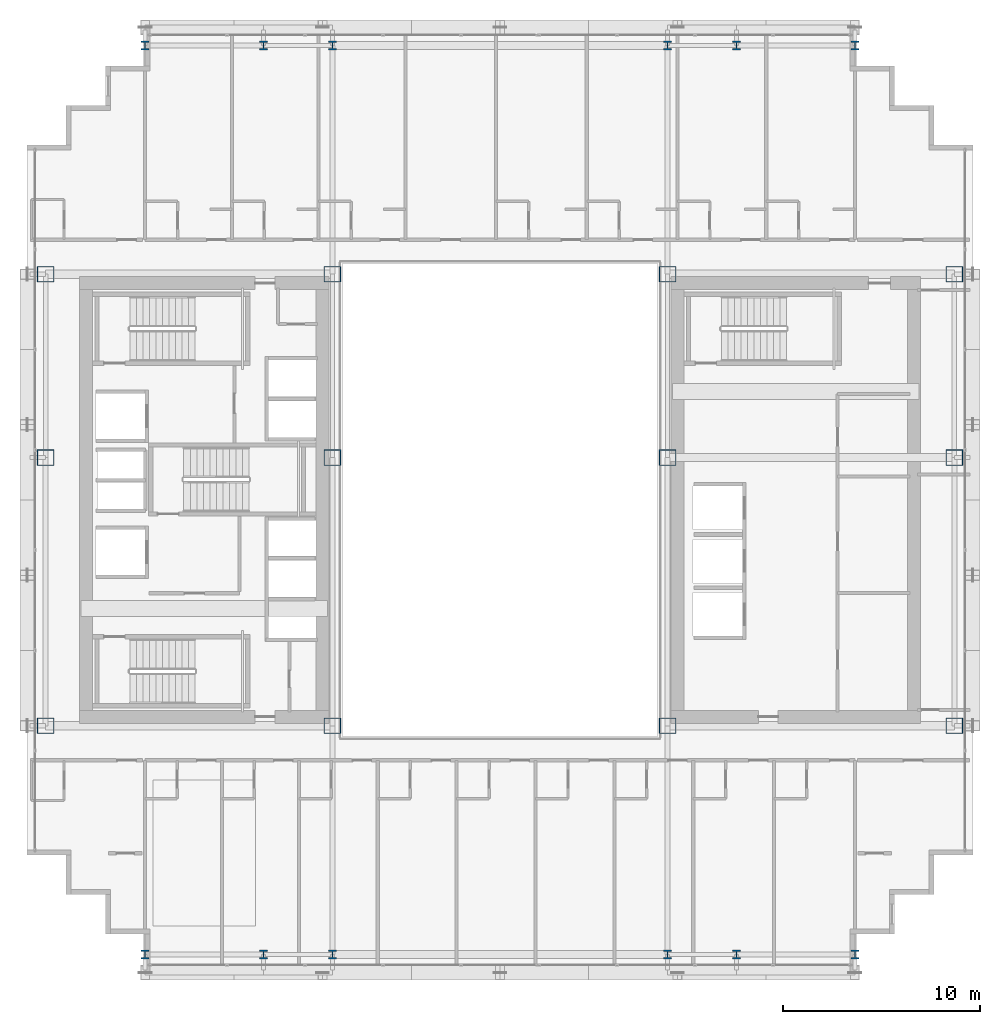
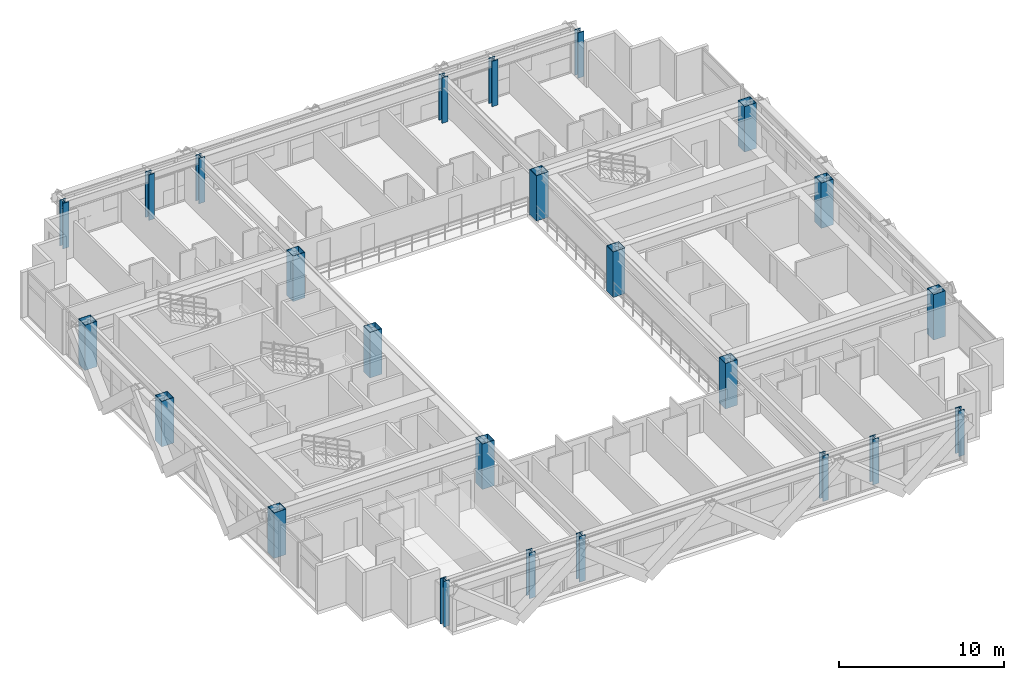
# One storey, part 1 of 36: 24 columns.
"""IFC4 building model written with IfcOpenShell, lengths in metres."""

from ifc_helpers import new_model, si_unit, direction, frame, origin, origin_2d, place, context, subcontext, project, spatial, hollow_rectangle, i_section, extrude, source, transform, mapped, material, material_profile, profile_set, type_object, element, save


model = new_model("IFC4")

# Units and contexts
model_context = context("Model", 3, precision=1e-05, world=origin(), true_north=direction((0.0, 1.0)))
body_context = subcontext(model_context, "Body", "Model", "MODEL_VIEW")
ifc_project = project(units=[si_unit("LENGTHUNIT", "METRE"), si_unit("AREAUNIT", "SQUARE_METRE"), si_unit("VOLUMEUNIT", "CUBIC_METRE"), si_unit("PLANEANGLEUNIT", "RADIAN"), si_unit("MASSUNIT", "GRAM", prefix="KILO")], contexts=[model_context])

# Site, building, storey
site_placement = place(None, origin())
site = spatial("IfcSite", under=ifc_project, at=site_placement, CompositionType="ELEMENT")
building_placement = place(site_placement, origin())
building = spatial("IfcBuilding", under=site, at=building_placement, Name="Ocotamira Hotel", CompositionType="ELEMENT")
storey_placement = place(building_placement, frame((0.0, 0.0, 136.800048828125)))
storey = spatial("IfcBuildingStorey", under=building, at=storey_placement, Name="L34", CompositionType="ELEMENT", Elevation=136.800048828125)

# Columns
ifc_material = material(Name="Steel ASTM A913 Grade 65", Category="steel")
ifc_material_profile_1 = material_profile(ifc_material, hollow_rectangle(XDim=0.85009765625, YDim=0.800048828125, WallThickness=0.031982421875, at=origin_2d()), Name="BOX800X850X32")
ifc_profile_set_1 = profile_set([ifc_material_profile_1], Name="Steel ASTM A913 Grade 65")
column_type_1 = type_object("IfcColumnType", Name="COL-BOX800", PredefinedType="COLUMN", material=ifc_profile_set_1)
shared_shape_1 = source(origin(), body_context, "Body", "SweptSolid", [
    extrude(hollow_rectangle(XDim=0.85009765625, YDim=0.800048828125, WallThickness=0.031982421875, at=origin_2d()), origin(), (0.0, 0.0, 1.0), 3.35986328125),
])
for number, where, z_axis, x_axis, name in (
    (1, (8.949951171875, 14.550048828125, 0.0), (0.0, 0.0, 1.0), (1.0, 0.0, 0.0), "L34 Column TW8_14"),
    (2, (23.5, 14.550048828125, 0.0), (0.0, 0.0, 1.0), (1.0, 0.0, 0.0), "L34 Column TW23_14"),
    (3, (40.5, 14.550048828125, 0.0), (0.0, 0.0, 1.0), (1.0, 0.0, 0.0), "L34 Column TE40_14"),
    (4, (55.050048828125, 14.550048828125, 0.0), (0.0, 0.0, 1.0), (1.0, 0.0, 0.0), "L34 Column TE55_14"),
    (5, (8.949951171875, 28.14990234375, 0.0), (0.0, 0.0, 1.0), (1.0, 0.0, 0.0), "L34 Column TW8_28"),
    (6, (23.5, 28.14990234375, 0.0), (0.0, 0.0, 1.0), (1.0, 0.0, 0.0), "L34 Column TW23_28"),
    (7, (40.5, 28.14990234375, 0.0), (0.0, 0.0, 1.0), (1.0, 0.0, 0.0), "L34 Column TE40_28"),
    (8, (55.050048828125, 28.14990234375, 0.0), (0.0, 0.0, 1.0), (1.0, 0.0, 0.0), "L34 Column TE55_28"),
    (9, (8.949951171875, 37.449951171875, 0.0), (0.0, 0.0, 1.0), (1.0, 0.0, 0.0), "L34 Column TW8_37"),
    (10, (23.5, 37.449951171875, 0.0), (0.0, 0.0, 1.0), (1.0, 0.0, 0.0), "L34 Column TW23_37"),
    (11, (40.5, 37.449951171875, 0.0), (0.0, 0.0, 1.0), (1.0, 0.0, 0.0), "L34 Column TE40_37"),
    (12, (55.050048828125, 37.449951171875, 0.0), (0.0, 0.0, 1.0), (1.0, 0.0, 0.0), "L34 Column TE55_37"),
):
    element("IfcColumn", number, at=place(storey_placement, frame(where, z_axis=z_axis, x_axis=x_axis)), inside=storey, type_object=column_type_1, Name=name, PredefinedType="COLUMN", context=body_context, shape_type="MappedRepresentation", body=[
        mapped(shared_shape_1, transform((0.0, 0.0, 0.0), scale=1.0)),
    ])
ifc_material_profile_2 = material_profile(ifc_material, i_section(OverallWidth=0.412109375, OverallDepth=0.43505859375, WebThickness=0.035888671875, FlangeThickness=0.057373046875, FilletRadius=0.02490234375, at=origin_2d()), Name="W14X311")
ifc_profile_set_2 = profile_set([ifc_material_profile_2], Name="Steel ASTM A913 Grade 65")
column_type_2 = type_object("IfcColumnType", Name="COL-W14X311", PredefinedType="COLUMN", material=ifc_profile_set_2)
shared_shape_2 = source(origin(), body_context, "Body", "SweptSolid", [
    extrude(i_section(OverallWidth=0.412109375, OverallDepth=0.43505859375, WebThickness=0.035888671875, FlangeThickness=0.057373046875, FilletRadius=0.02490234375, at=origin_2d()), origin(), (0.0, 0.0, 1.0), 3.35986328125),
])
for number, where, z_axis, x_axis, name in (
    (13, (14.0, 2.949951171875, 0.0), (0.0, 0.0, 1.0), (1.0, 0.0, 0.0), "L34 Column NSP1_14"),
    (14, (20.0, 2.949951171875, 0.0), (0.0, 0.0, 1.0), (1.0, 0.0, 0.0), "L34 Column NSP1_20"),
    (15, (23.5, 2.949951171875, 0.0), (0.0, 0.0, 1.0), (1.0, 0.0, 0.0), "L34 Column NSP1_23"),
    (16, (40.5, 2.949951171875, 0.0), (0.0, 0.0, 1.0), (1.0, 0.0, 0.0), "L34 Column NSP1_40"),
    (17, (44.0, 2.949951171875, 0.0), (0.0, 0.0, 1.0), (1.0, 0.0, 0.0), "L34 Column NSP1_44"),
    (18, (50.0, 2.949951171875, 0.0), (0.0, 0.0, 1.0), (1.0, 0.0, 0.0), "L34 Column NSP1_50"),
    (19, (14.0, 49.050048828125, 0.0), (0.0, 0.0, 1.0), (1.0, 0.0, 0.0), "L34 Column NSP2_14"),
    (20, (20.0, 49.050048828125, 0.0), (0.0, 0.0, 1.0), (1.0, 0.0, 0.0), "L34 Column NSP2_20"),
    (21, (23.5, 49.050048828125, 0.0), (0.0, 0.0, 1.0), (1.0, 0.0, 0.0), "L34 Column NSP2_23"),
    (22, (40.5, 49.050048828125, 0.0), (0.0, 0.0, 1.0), (1.0, 0.0, 0.0), "L34 Column NSP2_40"),
    (23, (44.0, 49.050048828125, 0.0), (0.0, 0.0, 1.0), (1.0, 0.0, 0.0), "L34 Column NSP2_44"),
    (24, (50.0, 49.050048828125, 0.0), (0.0, 0.0, 1.0), (1.0, 0.0, 0.0), "L34 Column NSP2_50"),
):
    element("IfcColumn", number, at=place(storey_placement, frame(where, z_axis=z_axis, x_axis=x_axis)), inside=storey, type_object=column_type_2, Name=name, PredefinedType="COLUMN", context=body_context, shape_type="MappedRepresentation", body=[
        mapped(shared_shape_2, transform((0.0, 0.0, 0.0), scale=1.0)),
    ])

save(model, "model.ifc")
